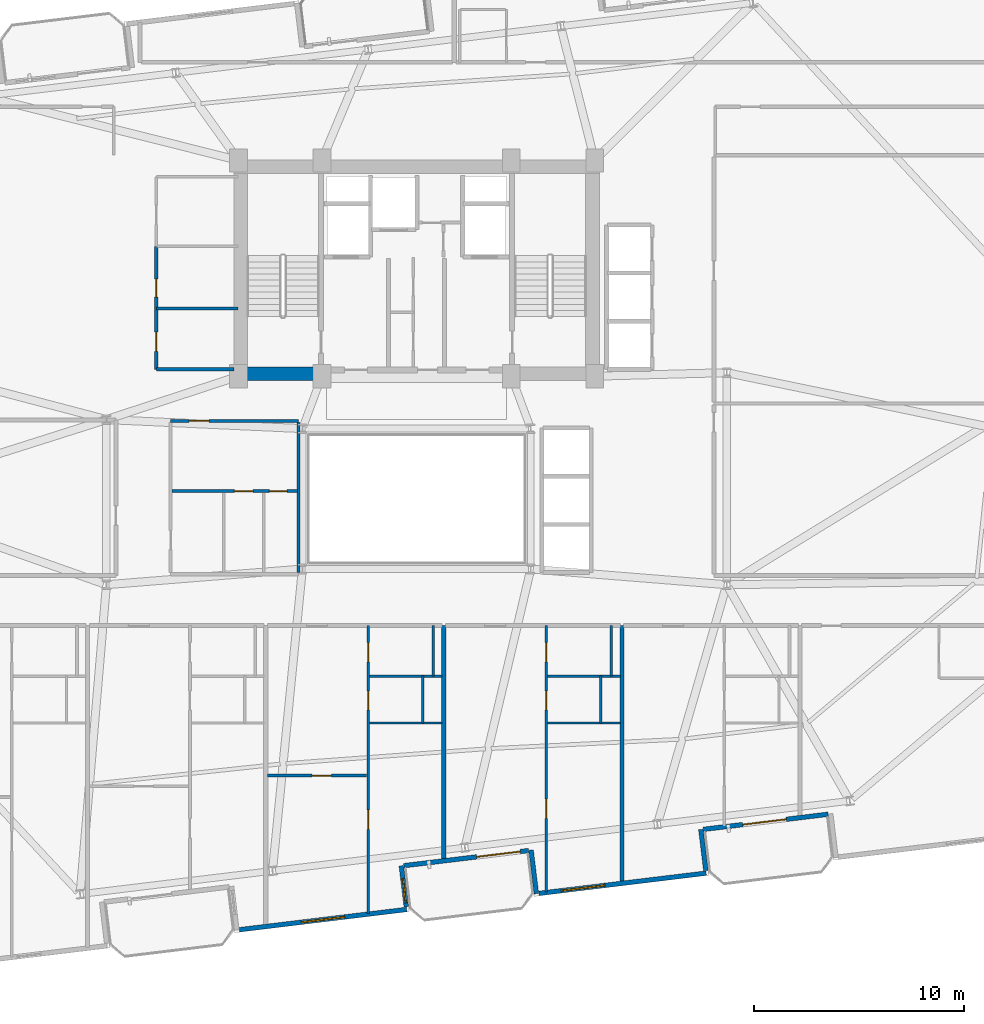
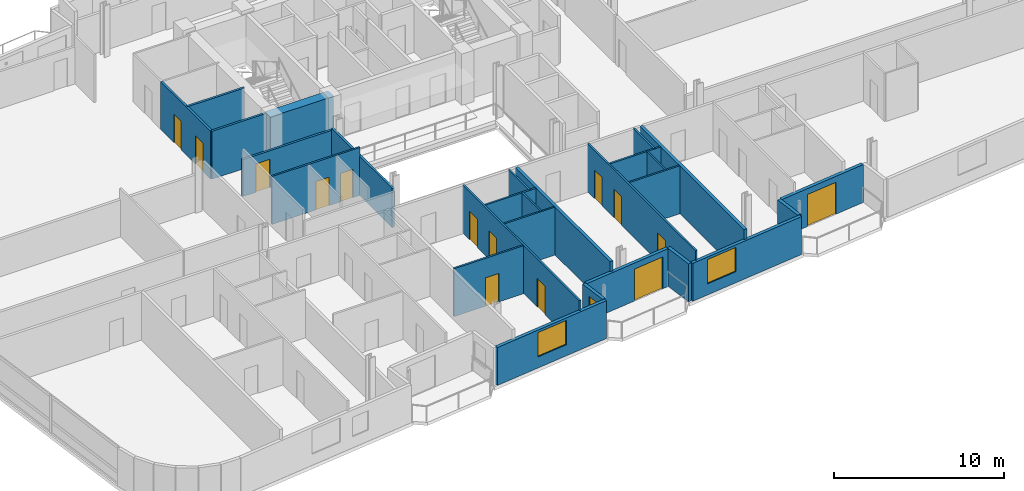
# One storey, part 15 of 23: 27 walls, 14 doors, 3 windows, 17 openings.
"""IFC4 building model written with IfcOpenShell, lengths in metres."""

from ifc_helpers import new_model, si_unit, direction, frame, frame_2d, origin, place, context, subcontext, project, spatial, rectangle, extrude, material, layer, layer_set, type_object, element, fill, save


model = new_model("IFC4")

# Units and contexts
model_context = context("Model", 3, precision=1e-05, world=origin(), true_north=direction((0.0, 1.0)))
body_context = subcontext(model_context, "Body", "Model", "MODEL_VIEW")
ifc_project = project(units=[si_unit("LENGTHUNIT", "METRE"), si_unit("AREAUNIT", "SQUARE_METRE"), si_unit("VOLUMEUNIT", "CUBIC_METRE"), si_unit("PLANEANGLEUNIT", "RADIAN"), si_unit("MASSUNIT", "GRAM", prefix="KILO")], contexts=[model_context])

# Site, building, storey
site_placement = place(None, origin())
site = spatial("IfcSite", under=ifc_project, at=site_placement, CompositionType="ELEMENT")
building_placement = place(site_placement, origin())
building = spatial("IfcBuilding", under=site, at=building_placement, Name="Varnelok Gate Tower", CompositionType="ELEMENT")
storey_placement = place(building_placement, frame((0.0, 0.0, 193.10009765625)))
storey = spatial("IfcBuildingStorey", under=building, at=storey_placement, Name="L49", CompositionType="ELEMENT", Elevation=193.10009765625)

# Wall, opening, door
ifc_material_1 = material(Name="Concrete C45/55", Category="concrete")
ifc_layer_1 = layer(ifc_material_1, 0.219970703125)
ifc_layer_set_1 = layer_set([ifc_layer_1], Name="Concrete C45/55")
wall_type_1 = type_object("IfcWallType", Name="EW-BALC-220", PredefinedType="SOLIDWALL", material=ifc_layer_set_1)
wall_1_placement = place(storey_placement, frame((44.5478515625, 6.114013671875, 0.0), z_axis=(0.0, 0.0, 1.0), x_axis=(-0.992735402148, -0.120318000826, 0.0)))
wall_1 = element("IfcWall", 1, at=wall_1_placement, inside=storey, type_object=wall_type_1, Name="L49 South Terrace Envelope Wall 2", PredefinedType="SOLIDWALL", context=body_context, shape_type="SweptSolid", body=[
    extrude(rectangle(XDim=6.000244140625, YDim=0.219970703125, at=frame_2d((3.0, 0.0))), origin(), (0.0, 0.0, 1.0), 2.72998046875),
])
opening_1_placement = place(wall_1_placement, frame((0.39990234375, 0.0, 0.0)))
opening_1 = element("IfcOpeningElement", 2, at=opening_1_placement, cuts=wall_1, Name="Opening BD-2", PredefinedType="OPENING", context=body_context, shape_type="SweptSolid", body=[
    extrude(rectangle(XDim=2.10009765625, YDim=2.300048828125, at=frame_2d((1.050048828125, 1.14990234375))), frame((0.0, 0.119873046875, 0.0), z_axis=(0.0, -1.0, 0.0), x_axis=(1.0, 0.0, 0.0)), (0.0, 0.0, 1.0), 0.239990234375),
])
ifc_material_2 = material(Name="Anodized Aluminum Alloy 6063-T6", Category="aluminium")
door_type_1 = type_object("IfcDoorType", Name="DR-EXT-SLID2100", OperationType="SLIDING_TO_LEFT", PredefinedType="DOOR", material=ifc_material_2)
door_1_placement = place(opening_1_placement, origin())
door_1 = element("IfcDoor", 3, at=door_1_placement, inside=storey, type_object=door_type_1, Name="L49 South Balcony Glazed Door 2", OperationType="SLIDING_TO_LEFT", OverallHeight=2.300048828125, OverallWidth=2.10009765625, PredefinedType="DOOR", context=body_context, shape_type="SweptSolid", body=[
    extrude(rectangle(XDim=2.10009765625, YDim=2.300048828125, at=frame_2d((1.050048828125, 1.14990234375))), frame((0.0, 0.02490234375, 0.0), z_axis=(0.0, -1.0, 0.0), x_axis=(1.0, 0.0, 0.0)), (0.0, 0.0, 1.0), 0.050048828125),
])
fill(opening_1, door_1)

wall_2_placement = place(storey_placement, frame((58.843017578125, 7.84716796875, 0.0), z_axis=(0.0, 0.0, 1.0), x_axis=(-0.992729951822, -0.120362962556, 0.0)))
wall_2 = element("IfcWall", 4, at=wall_2_placement, inside=storey, type_object=wall_type_1, Name="L49 South Terrace Envelope Wall 3", PredefinedType="SOLIDWALL", context=body_context, shape_type="SweptSolid", body=[
    extrude(rectangle(XDim=6.0, YDim=0.219970703125, at=frame_2d((3.0, 0.0))), origin(), (0.0, 0.0, 1.0), 2.72998046875),
])
opening_2_placement = place(wall_2_placement, frame((2.011962890625, 0.0, 0.0)))
opening_2 = element("IfcOpeningElement", 5, at=opening_2_placement, cuts=wall_2, Name="Opening BD-2", PredefinedType="OPENING", context=body_context, shape_type="SweptSolid", body=[
    extrude(rectangle(XDim=2.10009765625, YDim=2.300048828125, at=frame_2d((1.050048828125, 1.14990234375))), frame((0.0, 0.119873046875, 0.0), z_axis=(0.0, -1.0, 0.0), x_axis=(1.0, 0.0, 0.0)), (0.0, 0.0, 1.0), 0.239990234375),
])
door_2_placement = place(opening_2_placement, origin())
door_2 = element("IfcDoor", 6, at=door_2_placement, inside=storey, type_object=door_type_1, Name="L49 South Balcony Glazed Door 3", OperationType="SLIDING_TO_LEFT", OverallHeight=2.300048828125, OverallWidth=2.10009765625, PredefinedType="DOOR", context=body_context, shape_type="SweptSolid", body=[
    extrude(rectangle(XDim=2.10009765625, YDim=2.300048828125, at=frame_2d((1.050048828125, 1.14990234375))), frame((0.0, 0.02490234375, 0.0), z_axis=(0.0, -1.0, 0.0), x_axis=(1.0, 0.0, 0.0)), (0.0, 0.0, 1.0), 0.050048828125),
])
fill(opening_2, door_2)

# Wall, opening, window
wall_3_placement = place(storey_placement, frame((30.747314453125, 2.335693359375, 0.0), z_axis=(0.0, 0.0, 1.0), x_axis=(0.992731032022, 0.120354052946, 0.0)))
wall_3 = element("IfcWall", 7, at=wall_3_placement, inside=storey, type_object=wall_type_1, Name="L49 Perimeter Facade Closure Wall 10", PredefinedType="SOLIDWALL", context=body_context, shape_type="SweptSolid", body=[
    extrude(rectangle(XDim=8.034912109375, YDim=0.219970703125, at=frame_2d((4.017578125, 0.0))), origin(), (0.0, 0.0, 1.0), 2.72998046875),
])
opening_3_placement = place(wall_3_placement, frame((2.967529296875, 0.0, 0.800048828125)))
opening_3 = element("IfcOpeningElement", 8, at=opening_3_placement, cuts=wall_3, Name="Opening WN4", PredefinedType="OPENING", context=body_context, shape_type="SweptSolid", body=[
    extrude(rectangle(XDim=2.10009765625, YDim=1.75, at=frame_2d((1.050048828125, 0.875))), frame((0.0, 0.119873046875, 0.0), z_axis=(0.0, -1.0, 0.0), x_axis=(1.0, 0.0, 0.0)), (0.0, 0.0, 1.0), 0.239990234375),
])
ifc_material_3 = material(Name="Low-E Laminated Double Glazing IGU", Category="glass")
window_type_1 = type_object("IfcWindowType", Name="WN-SUI-2100", PartitioningType="SINGLE_PANEL", PredefinedType="WINDOW", material=ifc_material_3)
window_1_placement = place(opening_3_placement, origin())
window_1 = element("IfcWindow", 9, at=window_1_placement, inside=storey, type_object=window_type_1, Name="L49 Perimeter Vision Window 10", OverallHeight=1.75, OverallWidth=2.10009765625, PartitioningType="SINGLE_PANEL", PredefinedType="WINDOW", context=body_context, shape_type="SweptSolid", body=[
    extrude(rectangle(XDim=2.10009765625, YDim=1.75, at=frame_2d((1.050048828125, 0.875))), frame((0.0, 0.030029296875, 0.0), z_axis=(0.0, -1.0, 0.0), x_axis=(1.0, 0.0, 0.0)), (0.0, 0.0, 1.0), 0.06005859375),
])
fill(opening_3, window_1)

wall_4_placement = place(storey_placement, frame((38.708740234375, 3.427001953125, 0.0), z_axis=(0.0, 0.0, 1.0), x_axis=(-0.120397815541, 0.992725725472, 0.0)))
wall_4 = element("IfcWall", 10, at=wall_4_placement, inside=storey, type_object=wall_type_1, Name="L49 Perimeter Facade Closure Wall 11", PredefinedType="SOLIDWALL", context=body_context, shape_type="SweptSolid", body=[
    extrude(rectangle(XDim=1.97509765625, YDim=0.219970703125, at=frame_2d((0.987548828125, 0.0))), origin(), (0.0, 0.0, 1.0), 2.72998046875),
])
opening_4_placement = place(wall_4_placement, frame((0.199951171875, 0.0, 0.800048828125)))
opening_4 = element("IfcOpeningElement", 11, at=opening_4_placement, cuts=wall_4, Name="Opening WN8", PredefinedType="OPENING", context=body_context, shape_type="SweptSolid", body=[
    extrude(rectangle(XDim=1.14990234375, YDim=1.39990234375, at=frame_2d((0.574951171875, 0.699951171875))), frame((0.0, 0.119873046875, 0.0), z_axis=(0.0, -1.0, 0.0), x_axis=(1.0, 0.0, 0.0)), (0.0, 0.0, 1.0), 0.239990234375),
])
window_type_2 = type_object("IfcWindowType", Name="WN-BED-1150", PartitioningType="SINGLE_PANEL", PredefinedType="WINDOW", material=ifc_material_3)
window_2_placement = place(opening_4_placement, origin())
window_2 = element("IfcWindow", 12, at=window_2_placement, inside=storey, type_object=window_type_2, Name="L49 Bedroom Vision Window 33", OverallHeight=1.39990234375, OverallWidth=1.14990234375, PartitioningType="SINGLE_PANEL", PredefinedType="WINDOW", context=body_context, shape_type="SweptSolid", body=[
    extrude(rectangle(XDim=1.14990234375, YDim=1.39990234375, at=frame_2d((0.574951171875, 0.699951171875))), frame((0.0, 0.030029296875, 0.0), z_axis=(0.0, -1.0, 0.0), x_axis=(1.0, 0.0, 0.0)), (0.0, 0.0, 1.0), 0.06005859375),
])
fill(opening_4, window_2)

# Wall
wall_5_placement = place(storey_placement, frame((44.665771484375, 6.138427734375, 0.0), z_axis=(0.0, 0.0, 1.0), x_axis=(0.120327895535, -0.992734202874, 0.0)))
element("IfcWall", 13, at=wall_5_placement, inside=storey, type_object=wall_type_1, Name="L49 Perimeter Facade Closure Wall 12", PredefinedType="SOLIDWALL", context=body_context, shape_type="SweptSolid", body=[
    extrude(rectangle(XDim=2.099853515625, YDim=0.219970703125, at=frame_2d((1.0498046875, 0.0))), origin(), (0.0, 0.0, 1.0), 2.72998046875),
])

# Wall, opening, window
wall_6_placement = place(storey_placement, frame((45.04248046875, 4.06884765625, 0.0), z_axis=(0.0, 0.0, 1.0), x_axis=(0.992731032022, 0.120354052946, 0.0)))
wall_6 = element("IfcWall", 14, at=wall_6_placement, inside=storey, type_object=wall_type_1, Name="L49 Perimeter Facade Closure Wall 13", PredefinedType="SOLIDWALL", context=body_context, shape_type="SweptSolid", body=[
    extrude(rectangle(XDim=8.034912109375, YDim=0.219970703125, at=frame_2d((4.017578125, 0.0))), origin(), (0.0, 0.0, 1.0), 2.72998046875),
])
opening_5_placement = place(wall_6_placement, frame((1.068359375, 0.0, 0.800048828125)))
opening_5 = element("IfcOpeningElement", 15, at=opening_5_placement, cuts=wall_6, Name="Opening WN4", PredefinedType="OPENING", context=body_context, shape_type="SweptSolid", body=[
    extrude(rectangle(XDim=2.10009765625, YDim=1.75, at=frame_2d((1.050048828125, 0.875))), frame((0.0, 0.119873046875, 0.0), z_axis=(0.0, -1.0, 0.0), x_axis=(1.0, 0.0, 0.0)), (0.0, 0.0, 1.0), 0.239990234375),
])
window_3_placement = place(opening_5_placement, origin())
window_3 = element("IfcWindow", 16, at=window_3_placement, inside=storey, type_object=window_type_1, Name="L49 Perimeter Vision Window 13", OverallHeight=1.75, OverallWidth=2.10009765625, PartitioningType="SINGLE_PANEL", PredefinedType="WINDOW", context=body_context, shape_type="SweptSolid", body=[
    extrude(rectangle(XDim=2.10009765625, YDim=1.75, at=frame_2d((1.050048828125, 0.875))), frame((0.0, 0.030029296875, 0.0), z_axis=(0.0, -1.0, 0.0), x_axis=(1.0, 0.0, 0.0)), (0.0, 0.0, 1.0), 0.06005859375),
])
fill(opening_5, window_3)

# Walls
wall_7_placement = place(storey_placement, frame((53.004150390625, 5.159912109375, 0.0), z_axis=(0.0, 0.0, 1.0), x_axis=(-0.120397815541, 0.992725725472, 0.0)))
element("IfcWall", 17, at=wall_7_placement, inside=storey, type_object=wall_type_1, Name="L49 Perimeter Facade Closure Wall 14", PredefinedType="SOLIDWALL", context=body_context, shape_type="SweptSolid", body=[
    extrude(rectangle(XDim=1.97509765625, YDim=0.219970703125, at=frame_2d((0.987548828125, 0.0))), origin(), (0.0, 0.0, 1.0), 2.72998046875),
])
ifc_material_4 = material(Name="Gypsum Plasterboard Acoustic Partition", Category="gypsum")
ifc_layer_2 = layer(ifc_material_4, 0.114990234375)
ifc_layer_set_2 = layer_set([ifc_layer_2], Name="Gypsum Plasterboard Acoustic Partition")
wall_type_2 = type_object("IfcWallType", Name="PW-ENS-125", PredefinedType="PARTITIONING", material=ifc_layer_set_2)
wall_8_placement = place(storey_placement, frame((36.955078125, 12.199951171875, 0.0), z_axis=(0.0, 0.0, 1.0), x_axis=(1.0, 0.0, 0.0)))
element("IfcWall", 18, at=wall_8_placement, inside=storey, type_object=wall_type_2, Name="Interior Partition", PredefinedType="PARTITIONING", context=body_context, shape_type="SweptSolid", body=[
    extrude(rectangle(XDim=3.46484375, YDim=0.114990234375, at=frame_2d((1.732421875, 0.0))), origin(), (0.0, 0.0, 1.0), 3.449951171875),
])
wall_9_placement = place(storey_placement, frame((39.4951171875, 12.199951171875, 0.0), z_axis=(0.0, 0.0, 1.0), x_axis=(0.0, 1.0, 0.0)))
element("IfcWall", 19, at=wall_9_placement, inside=storey, type_object=wall_type_2, Name="Interior Partition", PredefinedType="PARTITIONING", context=body_context, shape_type="SweptSolid", body=[
    extrude(rectangle(XDim=2.239990234375, YDim=0.114990234375, at=frame_2d((1.1201171875, 0.0))), origin(), (0.0, 0.0, 1.0), 3.449951171875),
])
wall_10_placement = place(storey_placement, frame((45.455078125, 12.199951171875, 0.0), z_axis=(0.0, 0.0, 1.0), x_axis=(1.0, 0.0, 0.0)))
element("IfcWall", 20, at=wall_10_placement, inside=storey, type_object=wall_type_2, Name="Interior Partition", PredefinedType="PARTITIONING", context=body_context, shape_type="SweptSolid", body=[
    extrude(rectangle(XDim=3.46484375, YDim=0.114990234375, at=frame_2d((1.732421875, 0.0))), origin(), (0.0, 0.0, 1.0), 3.449951171875),
])
wall_11_placement = place(storey_placement, frame((47.9951171875, 12.199951171875, 0.0), z_axis=(0.0, 0.0, 1.0), x_axis=(0.0, 1.0, 0.0)))
element("IfcWall", 21, at=wall_11_placement, inside=storey, type_object=wall_type_2, Name="Interior Partition", PredefinedType="PARTITIONING", context=body_context, shape_type="SweptSolid", body=[
    extrude(rectangle(XDim=2.239990234375, YDim=0.114990234375, at=frame_2d((1.1201171875, 0.0))), origin(), (0.0, 0.0, 1.0), 3.449951171875),
])

# Wall, opening, door
ifc_layer_3 = layer(ifc_material_4, 0.125)
ifc_layer_set_3 = layer_set([ifc_layer_3], Name="Gypsum Plasterboard Acoustic Partition")
wall_type_3 = type_object("IfcWallType", Name="PW-PART-125", PredefinedType="PARTITIONING", material=ifc_layer_set_3)
wall_12_placement = place(storey_placement, frame((32.080078125, 9.69384765625, 0.0), z_axis=(0.0, 0.0, 1.0), x_axis=(1.0, 0.0, 0.0)))
wall_12 = element("IfcWall", 22, at=wall_12_placement, inside=storey, type_object=wall_type_3, Name="Interior Partition", PredefinedType="PARTITIONING", context=body_context, shape_type="SweptSolid", body=[
    extrude(rectangle(XDim=4.735107421875, YDim=0.125, at=frame_2d((2.36767578125, 0.0))), origin(), (0.0, 0.0, 1.0), 3.449951171875),
])
opening_6_placement = place(wall_12_placement, frame((2.130859375, 0.0, 0.0)))
opening_6 = element("IfcOpeningElement", 23, at=opening_6_placement, cuts=wall_12, Name="Opening D-I3", PredefinedType="OPENING", context=body_context, shape_type="SweptSolid", body=[
    extrude(rectangle(XDim=0.919921875, YDim=2.050048828125, at=frame_2d((0.4599609375, 1.02490234375))), frame((0.0, 0.072509765625, 0.0), z_axis=(0.0, -1.0, 0.0), x_axis=(1.0, 0.0, 0.0)), (0.0, 0.0, 1.0), 0.14501953125),
])
ifc_material_5 = material(Name="Engineered Hardwood Timber", Category="wood")
door_type_2 = type_object("IfcDoorType", Name="DR-INT-920", OperationType="NOTDEFINED", PredefinedType="DOOR", material=ifc_material_5)
door_3_placement = place(opening_6_placement, origin())
door_3 = element("IfcDoor", 24, at=door_3_placement, inside=storey, type_object=door_type_2, Name="L49 Apartment 4 Study Door", OperationType="SINGLE_SWING_LEFT", OverallHeight=2.050048828125, OverallWidth=0.919921875, PredefinedType="DOOR", context=body_context, shape_type="SweptSolid", body=[
    extrude(rectangle(XDim=0.919921875, YDim=2.050048828125, at=frame_2d((0.4599609375, 1.02490234375))), frame((0.0, 0.02490234375, 0.0), z_axis=(0.0, -1.0, 0.0), x_axis=(1.0, 0.0, 0.0)), (0.0, 0.0, 1.0), 0.050048828125),
])
fill(opening_6, door_3)

# Wall, openings, doors
wall_13_placement = place(storey_placement, frame((36.88525390625, 3.10009765625, 0.0), z_axis=(0.0, 0.0, 1.0), x_axis=(0.0, 1.0, 0.0)))
wall_13 = element("IfcWall", 25, at=wall_13_placement, inside=storey, type_object=wall_type_3, Name="Interior Partition", PredefinedType="PARTITIONING", context=body_context, shape_type="SweptSolid", body=[
    extrude(rectangle(XDim=13.75, YDim=0.125, at=frame_2d((6.875, 0.0))), origin(), (0.0, 0.0, 1.0), 3.449951171875),
])
opening_7_placement = place(wall_13_placement, frame((4.030029296875, 0.0, 0.0)))
opening_7 = element("IfcOpeningElement", 26, at=opening_7_placement, cuts=wall_13, Name="Opening D-I3", PredefinedType="OPENING", context=body_context, shape_type="SweptSolid", body=[
    extrude(rectangle(XDim=0.919921875, YDim=2.050048828125, at=frame_2d((0.4599609375, 1.02490234375))), frame((0.0, 0.072509765625, 0.0), z_axis=(0.0, -1.0, 0.0), x_axis=(1.0, 0.0, 0.0)), (0.0, 0.0, 1.0), 0.14501953125),
])
opening_8_placement = place(wall_13_placement, frame((9.727294921875, 0.0, 0.0)))
opening_8 = element("IfcOpeningElement", 27, at=opening_8_placement, cuts=wall_13, Name="Opening D-WC", PredefinedType="OPENING", context=body_context, shape_type="SweptSolid", body=[
    extrude(rectangle(XDim=0.89990234375, YDim=2.050048828125, at=frame_2d((0.449951171875, 1.02490234375))), frame((0.0, 0.072509765625, 0.0), z_axis=(0.0, -1.0, 0.0), x_axis=(1.0, 0.0, 0.0)), (0.0, 0.0, 1.0), 0.14501953125),
])
opening_9_placement = place(wall_13_placement, frame((12.02001953125, 0.0, 0.0)))
opening_9 = element("IfcOpeningElement", 28, at=opening_9_placement, cuts=wall_13, Name="Opening D-I3", PredefinedType="OPENING", context=body_context, shape_type="SweptSolid", body=[
    extrude(rectangle(XDim=0.919921875, YDim=2.050048828125, at=frame_2d((0.4599609375, 1.02490234375))), frame((0.0, 0.072509765625, 0.0), z_axis=(0.0, -1.0, 0.0), x_axis=(1.0, 0.0, 0.0)), (0.0, 0.0, 1.0), 0.14501953125),
])
door_type_3 = type_object("IfcDoorType", Name="DR-BATH-900", OperationType="NOTDEFINED", PredefinedType="DOOR", material=ifc_material_5)
door_4_placement = place(opening_8_placement, origin())
door_4 = element("IfcDoor", 29, at=door_4_placement, inside=storey, type_object=door_type_3, Name="L49 Apartment 4 Bathroom Door", OperationType="SINGLE_SWING_LEFT", OverallHeight=2.050048828125, OverallWidth=0.89990234375, PredefinedType="DOOR", context=body_context, shape_type="SweptSolid", body=[
    extrude(rectangle(XDim=0.89990234375, YDim=2.050048828125, at=frame_2d((0.449951171875, 1.02490234375))), frame((0.0, 0.02490234375, 0.0), z_axis=(0.0, -1.0, 0.0), x_axis=(1.0, 0.0, 0.0)), (0.0, 0.0, 1.0), 0.050048828125),
])
fill(opening_8, door_4)
door_5_placement = place(opening_7_placement, origin())
door_5 = element("IfcDoor", 30, at=door_5_placement, inside=storey, type_object=door_type_2, Name="L49 Apartment 4 Bedroom Door", OperationType="SINGLE_SWING_RIGHT", OverallHeight=2.050048828125, OverallWidth=0.919921875, PredefinedType="DOOR", context=body_context, shape_type="SweptSolid", body=[
    extrude(rectangle(XDim=0.919921875, YDim=2.050048828125, at=frame_2d((0.4599609375, 1.02490234375))), frame((0.0, 0.02490234375, 0.0), z_axis=(0.0, -1.0, 0.0), x_axis=(1.0, 0.0, 0.0)), (0.0, 0.0, 1.0), 0.050048828125),
])
fill(opening_7, door_5)
door_6_placement = place(opening_9_placement, origin())
door_6 = element("IfcDoor", 31, at=door_6_placement, inside=storey, type_object=door_type_2, Name="L49 Apartment 4 Kitchen Door", OperationType="SINGLE_SWING_RIGHT", OverallHeight=2.050048828125, OverallWidth=0.919921875, PredefinedType="DOOR", context=body_context, shape_type="SweptSolid", body=[
    extrude(rectangle(XDim=0.919921875, YDim=2.050048828125, at=frame_2d((0.4599609375, 1.02490234375))), frame((0.0, 0.02490234375, 0.0), z_axis=(0.0, -1.0, 0.0), x_axis=(1.0, 0.0, 0.0)), (0.0, 0.0, 1.0), 0.050048828125),
])
fill(opening_9, door_6)

# Walls
wall_14_placement = place(storey_placement, frame((36.955078125, 14.43994140625, 0.0), z_axis=(0.0, 0.0, 1.0), x_axis=(1.0, 0.0, 0.0)))
element("IfcWall", 32, at=wall_14_placement, inside=storey, type_object=wall_type_3, Name="Interior Partition", PredefinedType="PARTITIONING", context=body_context, shape_type="SweptSolid", body=[
    extrude(rectangle(XDim=3.46484375, YDim=0.125, at=frame_2d((1.732421875, 0.0))), origin(), (0.0, 0.0, 1.0), 3.449951171875),
])
wall_15_placement = place(storey_placement, frame((39.9951171875, 14.43994140625, 0.0), z_axis=(0.0, 0.0, 1.0), x_axis=(0.0, 1.0, 0.0)))
element("IfcWall", 33, at=wall_15_placement, inside=storey, type_object=wall_type_3, Name="Interior Partition", PredefinedType="PARTITIONING", context=body_context, shape_type="SweptSolid", body=[
    extrude(rectangle(XDim=2.41015625, YDim=0.125, at=frame_2d((1.205078125, 0.0))), origin(), (0.0, 0.0, 1.0), 3.449951171875),
])

# Wall, openings, doors
wall_16_placement = place(storey_placement, frame((45.38525390625, 4.130615234375, 0.0), z_axis=(0.0, 0.0, 1.0), x_axis=(0.0, 1.0, 0.0)))
wall_16 = element("IfcWall", 34, at=wall_16_placement, inside=storey, type_object=wall_type_3, Name="Interior Partition", PredefinedType="PARTITIONING", context=body_context, shape_type="SweptSolid", body=[
    extrude(rectangle(XDim=12.719482421875, YDim=0.125, at=frame_2d((6.35986328125, 0.0))), origin(), (0.0, 0.0, 1.0), 3.449951171875),
])
opening_10_placement = place(wall_16_placement, frame((3.5146484375, 0.0, 0.0)))
opening_10 = element("IfcOpeningElement", 35, at=opening_10_placement, cuts=wall_16, Name="Opening D-I3", PredefinedType="OPENING", context=body_context, shape_type="SweptSolid", body=[
    extrude(rectangle(XDim=0.919921875, YDim=2.050048828125, at=frame_2d((0.4599609375, 1.02490234375))), frame((0.0, 0.072509765625, 0.0), z_axis=(0.0, -1.0, 0.0), x_axis=(1.0, 0.0, 0.0)), (0.0, 0.0, 1.0), 0.14501953125),
])
opening_11_placement = place(wall_16_placement, frame((8.69677734375, 0.0, 0.0)))
opening_11 = element("IfcOpeningElement", 36, at=opening_11_placement, cuts=wall_16, Name="Opening D-WC", PredefinedType="OPENING", context=body_context, shape_type="SweptSolid", body=[
    extrude(rectangle(XDim=0.89990234375, YDim=2.050048828125, at=frame_2d((0.449951171875, 1.02490234375))), frame((0.0, 0.072509765625, 0.0), z_axis=(0.0, -1.0, 0.0), x_axis=(1.0, 0.0, 0.0)), (0.0, 0.0, 1.0), 0.14501953125),
])
opening_12_placement = place(wall_16_placement, frame((10.989501953125, 0.0, 0.0)))
opening_12 = element("IfcOpeningElement", 37, at=opening_12_placement, cuts=wall_16, Name="Opening D-I3", PredefinedType="OPENING", context=body_context, shape_type="SweptSolid", body=[
    extrude(rectangle(XDim=0.919921875, YDim=2.050048828125, at=frame_2d((0.4599609375, 1.02490234375))), frame((0.0, 0.072509765625, 0.0), z_axis=(0.0, -1.0, 0.0), x_axis=(1.0, 0.0, 0.0)), (0.0, 0.0, 1.0), 0.14501953125),
])
door_7_placement = place(opening_11_placement, origin())
door_7 = element("IfcDoor", 38, at=door_7_placement, inside=storey, type_object=door_type_3, Name="L49 Apartment 5 Bathroom Door", OperationType="SINGLE_SWING_LEFT", OverallHeight=2.050048828125, OverallWidth=0.89990234375, PredefinedType="DOOR", context=body_context, shape_type="SweptSolid", body=[
    extrude(rectangle(XDim=0.89990234375, YDim=2.050048828125, at=frame_2d((0.449951171875, 1.02490234375))), frame((0.0, 0.02490234375, 0.0), z_axis=(0.0, -1.0, 0.0), x_axis=(1.0, 0.0, 0.0)), (0.0, 0.0, 1.0), 0.050048828125),
])
fill(opening_11, door_7)
door_8_placement = place(opening_10_placement, origin())
door_8 = element("IfcDoor", 39, at=door_8_placement, inside=storey, type_object=door_type_2, Name="L49 Apartment 5 Bedroom Door", OperationType="SINGLE_SWING_RIGHT", OverallHeight=2.050048828125, OverallWidth=0.919921875, PredefinedType="DOOR", context=body_context, shape_type="SweptSolid", body=[
    extrude(rectangle(XDim=0.919921875, YDim=2.050048828125, at=frame_2d((0.4599609375, 1.02490234375))), frame((0.0, 0.02490234375, 0.0), z_axis=(0.0, -1.0, 0.0), x_axis=(1.0, 0.0, 0.0)), (0.0, 0.0, 1.0), 0.050048828125),
])
fill(opening_10, door_8)
door_9_placement = place(opening_12_placement, origin())
door_9 = element("IfcDoor", 40, at=door_9_placement, inside=storey, type_object=door_type_2, Name="L49 Apartment 5 Kitchen Door", OperationType="SINGLE_SWING_RIGHT", OverallHeight=2.050048828125, OverallWidth=0.919921875, PredefinedType="DOOR", context=body_context, shape_type="SweptSolid", body=[
    extrude(rectangle(XDim=0.919921875, YDim=2.050048828125, at=frame_2d((0.4599609375, 1.02490234375))), frame((0.0, 0.02490234375, 0.0), z_axis=(0.0, -1.0, 0.0), x_axis=(1.0, 0.0, 0.0)), (0.0, 0.0, 1.0), 0.050048828125),
])
fill(opening_12, door_9)

# Walls
wall_17_placement = place(storey_placement, frame((45.455078125, 14.43994140625, 0.0), z_axis=(0.0, 0.0, 1.0), x_axis=(1.0, 0.0, 0.0)))
element("IfcWall", 41, at=wall_17_placement, inside=storey, type_object=wall_type_3, Name="Interior Partition", PredefinedType="PARTITIONING", context=body_context, shape_type="SweptSolid", body=[
    extrude(rectangle(XDim=3.46484375, YDim=0.125, at=frame_2d((1.732421875, 0.0))), origin(), (0.0, 0.0, 1.0), 3.449951171875),
])
wall_18_placement = place(storey_placement, frame((48.4951171875, 14.43994140625, 0.0), z_axis=(0.0, 0.0, 1.0), x_axis=(0.0, 1.0, 0.0)))
element("IfcWall", 42, at=wall_18_placement, inside=storey, type_object=wall_type_3, Name="Interior Partition", PredefinedType="PARTITIONING", context=body_context, shape_type="SweptSolid", body=[
    extrude(rectangle(XDim=2.41015625, YDim=0.125, at=frame_2d((1.205078125, 0.0))), origin(), (0.0, 0.0, 1.0), 3.449951171875),
])

# Wall, openings, doors
wall_19_placement = place(storey_placement, frame((27.52001953125, 23.27001953125, 0.0), z_axis=(0.0, 0.0, 1.0), x_axis=(1.0, 0.0, 0.0)))
wall_19 = element("IfcWall", 43, at=wall_19_placement, inside=storey, type_object=wall_type_3, Name="Interior Partition", PredefinedType="PARTITIONING", context=body_context, shape_type="SweptSolid", body=[
    extrude(rectangle(XDim=6.0, YDim=0.125, at=frame_2d((3.0, 0.0))), origin(), (0.0, 0.0, 1.0), 3.449951171875),
])
opening_13_placement = place(wall_19_placement, frame((2.981689453125, 0.0, 0.0)))
opening_13 = element("IfcOpeningElement", 44, at=opening_13_placement, cuts=wall_19, Name="Opening D-I4", PredefinedType="OPENING", context=body_context, shape_type="SweptSolid", body=[
    extrude(rectangle(XDim=0.89990234375, YDim=2.050048828125, at=frame_2d((0.449951171875, 1.02490234375))), frame((0.0, 0.072509765625, 0.0), z_axis=(0.0, -1.0, 0.0), x_axis=(1.0, 0.0, 0.0)), (0.0, 0.0, 1.0), 0.14501953125),
])
opening_14_placement = place(wall_19_placement, frame((4.64990234375, 0.0, 0.0)))
opening_14 = element("IfcOpeningElement", 45, at=opening_14_placement, cuts=wall_19, Name="Opening D-RS", PredefinedType="OPENING", context=body_context, shape_type="SweptSolid", body=[
    extrude(rectangle(XDim=0.85009765625, YDim=2.050048828125, at=frame_2d((0.425048828125, 1.02490234375))), frame((0.0, 0.072509765625, 0.0), z_axis=(0.0, -1.0, 0.0), x_axis=(1.0, 0.0, 0.0)), (0.0, 0.0, 1.0), 0.14501953125),
])
door_type_4 = type_object("IfcDoorType", Name="DR-INT-900", OperationType="NOTDEFINED", PredefinedType="DOOR", material=ifc_material_5)
door_10_placement = place(opening_13_placement, origin())
door_10 = element("IfcDoor", 46, at=door_10_placement, inside=storey, type_object=door_type_4, Name="L49 Trolley Room Door", OperationType="SINGLE_SWING_LEFT", OverallHeight=2.050048828125, OverallWidth=0.89990234375, PredefinedType="DOOR", context=body_context, shape_type="SweptSolid", body=[
    extrude(rectangle(XDim=0.89990234375, YDim=2.050048828125, at=frame_2d((0.449951171875, 1.02490234375))), frame((0.0, 0.02490234375, 0.0), z_axis=(0.0, -1.0, 0.0), x_axis=(1.0, 0.0, 0.0)), (0.0, 0.0, 1.0), 0.050048828125),
])
fill(opening_13, door_10)
ifc_material_6 = material(Name="Galvanized Steel Grade S350GD", Category="steel")
door_type_5 = type_object("IfcDoorType", Name="DR-RISER-850", OperationType="NOTDEFINED", PredefinedType="DOOR", material=ifc_material_6)
door_11_placement = place(opening_14_placement, origin())
door_11 = element("IfcDoor", 47, at=door_11_placement, inside=storey, type_object=door_type_5, Name="L49 Janitor Sink Door", OperationType="SINGLE_SWING_RIGHT", OverallHeight=2.050048828125, OverallWidth=0.85009765625, PredefinedType="DOOR", context=body_context, shape_type="SweptSolid", body=[
    extrude(rectangle(XDim=0.85009765625, YDim=2.050048828125, at=frame_2d((0.425048828125, 1.02490234375))), frame((0.0, 0.02490234375, 0.0), z_axis=(0.0, -1.0, 0.0), x_axis=(1.0, 0.0, 0.0)), (0.0, 0.0, 1.0), 0.050048828125),
])
fill(opening_14, door_11)

# Wall, opening, door
ifc_layer_4 = layer(ifc_material_4, 0.14990234375)
ifc_layer_set_4 = layer_set([ifc_layer_4], Name="Gypsum Plasterboard Acoustic Partition")
wall_type_4 = type_object("IfcWallType", Name="PW-PART-150", PredefinedType="PARTITIONING", material=ifc_layer_set_4)
wall_20_placement = place(storey_placement, frame((27.4599609375, 26.6201171875, 0.0), z_axis=(0.0, 0.0, 1.0), x_axis=(1.0, 0.0, 0.0)))
wall_20 = element("IfcWall", 48, at=wall_20_placement, inside=storey, type_object=wall_type_4, Name="Interior Partition", PredefinedType="PARTITIONING", context=body_context, shape_type="SweptSolid", body=[
    extrude(rectangle(XDim=6.10009765625, YDim=0.14990234375, at=frame_2d((3.050048828125, 0.0))), origin(), (0.0, 0.0, 1.0), 2.661865234375),
])
opening_15_placement = place(wall_20_placement, frame((0.8896484375, 0.0, 0.0)))
opening_15 = element("IfcOpeningElement", 49, at=opening_15_placement, cuts=wall_20, Name="Opening D-I2", PredefinedType="OPENING", context=body_context, shape_type="SweptSolid", body=[
    extrude(rectangle(XDim=0.949951171875, YDim=2.050048828125, at=frame_2d((0.47509765625, 1.02490234375))), frame((0.0, 0.0849609375, 0.0), z_axis=(0.0, -1.0, 0.0), x_axis=(1.0, 0.0, 0.0)), (0.0, 0.0, 1.0), 0.169921875),
])
door_type_6 = type_object("IfcDoorType", Name="DR-INT-950", OperationType="NOTDEFINED", PredefinedType="DOOR", material=ifc_material_5)
door_12_placement = place(opening_15_placement, origin())
door_12 = element("IfcDoor", 50, at=door_12_placement, inside=storey, type_object=door_type_6, Name="L49 Children Playroom Door", OperationType="SINGLE_SWING_LEFT", OverallHeight=2.050048828125, OverallWidth=0.949951171875, PredefinedType="DOOR", context=body_context, shape_type="SweptSolid", body=[
    extrude(rectangle(XDim=0.949951171875, YDim=2.050048828125, at=frame_2d((0.47509765625, 1.02490234375))), frame((0.0, 0.02490234375, 0.0), z_axis=(0.0, -1.0, 0.0), x_axis=(1.0, 0.0, 0.0)), (0.0, 0.0, 1.0), 0.050048828125),
])
fill(opening_15, door_12)

# Walls
wall_21_placement = place(storey_placement, frame((33.56005859375, 19.3798828125, 0.0), z_axis=(0.0, 0.0, 1.0), x_axis=(0.0, 1.0, 0.0)))
element("IfcWall", 51, at=wall_21_placement, inside=storey, type_object=wall_type_4, Name="Interior Partition", PredefinedType="PARTITIONING", context=body_context, shape_type="SweptSolid", body=[
    extrude(rectangle(XDim=7.16015625, YDim=0.14990234375, at=frame_2d((3.580078125, 0.0))), origin(), (0.0, 0.0, 1.0), 2.823974609375),
])
wall_22_placement = place(storey_placement, frame((26.780029296875, 29.080078125, 0.0), z_axis=(0.0, 0.0, 1.0), x_axis=(1.0, 0.0, 0.0)))
element("IfcWall", 52, at=wall_22_placement, inside=storey, type_object=wall_type_4, Name="Interior Partition", PredefinedType="PARTITIONING", context=body_context, shape_type="SweptSolid", body=[
    extrude(rectangle(XDim=3.699951171875, YDim=0.14990234375, at=frame_2d((1.85009765625, 0.0))), origin(), (0.0, 0.0, 1.0), 3.449951171875),
])
wall_23_placement = place(storey_placement, frame((26.800048828125, 31.989990234375, 0.0), z_axis=(0.0, 0.0, 1.0), x_axis=(1.0, 0.0, 0.0)))
element("IfcWall", 53, at=wall_23_placement, inside=storey, type_object=wall_type_4, Name="Interior Partition", PredefinedType="PARTITIONING", context=body_context, shape_type="SweptSolid", body=[
    extrude(rectangle(XDim=3.8798828125, YDim=0.14990234375, at=frame_2d((1.93994140625, 0.0))), origin(), (0.0, 0.0, 1.0), 3.449951171875),
])

# Wall, openings, doors
wall_24_placement = place(storey_placement, frame((26.780029296875, 29.080078125, 0.0), z_axis=(0.0, 0.0, 1.0), x_axis=(0.0, 1.0, 0.0)))
wall_24 = element("IfcWall", 54, at=wall_24_placement, inside=storey, type_object=wall_type_4, Name="Interior Partition", PredefinedType="PARTITIONING", context=body_context, shape_type="SweptSolid", body=[
    extrude(rectangle(XDim=5.869873046875, YDim=0.14990234375, at=frame_2d((2.93505859375, 0.0))), origin(), (0.0, 0.0, 1.0), 3.449951171875),
])
opening_16_placement = place(wall_24_placement, frame((0.85009765625, 0.0, 0.0)))
opening_16 = element("IfcOpeningElement", 55, at=opening_16_placement, cuts=wall_24, Name="Opening D-I3", PredefinedType="OPENING", context=body_context, shape_type="SweptSolid", body=[
    extrude(rectangle(XDim=0.919921875, YDim=2.050048828125, at=frame_2d((0.4599609375, 1.02490234375))), frame((0.0, 0.0849609375, 0.0), z_axis=(0.0, -1.0, 0.0), x_axis=(1.0, 0.0, 0.0)), (0.0, 0.0, 1.0), 0.169921875),
])
opening_17_placement = place(wall_24_placement, frame((3.449951171875, 0.0, 0.0)))
opening_17 = element("IfcOpeningElement", 56, at=opening_17_placement, cuts=wall_24, Name="Opening D-RS", PredefinedType="OPENING", context=body_context, shape_type="SweptSolid", body=[
    extrude(rectangle(XDim=0.85009765625, YDim=2.050048828125, at=frame_2d((0.425048828125, 1.02490234375))), frame((0.0, 0.0849609375, 0.0), z_axis=(0.0, -1.0, 0.0), x_axis=(1.0, 0.0, 0.0)), (0.0, 0.0, 1.0), 0.169921875),
])
door_13_placement = place(opening_16_placement, origin())
door_13 = element("IfcDoor", 57, at=door_13_placement, inside=storey, type_object=door_type_2, Name="L49 Core Linen Door", OperationType="SINGLE_SWING_LEFT", OverallHeight=2.050048828125, OverallWidth=0.919921875, PredefinedType="DOOR", context=body_context, shape_type="SweptSolid", body=[
    extrude(rectangle(XDim=0.919921875, YDim=2.050048828125, at=frame_2d((0.4599609375, 1.02490234375))), frame((0.0, 0.02490234375, 0.0), z_axis=(0.0, -1.0, 0.0), x_axis=(1.0, 0.0, 0.0)), (0.0, 0.0, 1.0), 0.050048828125),
])
fill(opening_16, door_13)
door_14_placement = place(opening_17_placement, origin())
door_14 = element("IfcDoor", 58, at=door_14_placement, inside=storey, type_object=door_type_5, Name="L49 Core Janitor Door", OperationType="SINGLE_SWING_RIGHT", OverallHeight=2.050048828125, OverallWidth=0.85009765625, PredefinedType="DOOR", context=body_context, shape_type="SweptSolid", body=[
    extrude(rectangle(XDim=0.85009765625, YDim=2.050048828125, at=frame_2d((0.425048828125, 1.02490234375))), frame((0.0, 0.02490234375, 0.0), z_axis=(0.0, -1.0, 0.0), x_axis=(1.0, 0.0, 0.0)), (0.0, 0.0, 1.0), 0.050048828125),
])
fill(opening_17, door_14)

# Walls
ifc_layer_5 = layer(ifc_material_4, 0.205078125)
ifc_layer_set_5 = layer_set([ifc_layer_5], Name="Gypsum Plasterboard Acoustic Partition")
wall_type_5 = type_object("IfcWallType", Name="PW-PARTY-200", PredefinedType="PARTITIONING", material=ifc_layer_set_5)
wall_25_placement = place(storey_placement, frame((40.5, 5.65380859375, 0.0), z_axis=(0.0, 0.0, 1.0), x_axis=(0.0, 1.0, 0.0)))
element("IfcWall", 59, at=wall_25_placement, inside=storey, type_object=wall_type_5, Name="L49 South Party Wall 4", PredefinedType="PARTITIONING", context=body_context, shape_type="SweptSolid", body=[
    extrude(rectangle(XDim=11.1962890625, YDim=0.205078125, at=frame_2d((5.59814453125, 0.0))), origin(), (0.0, 0.0, 1.0), 3.449951171875),
])
wall_26_placement = place(storey_placement, frame((49.0, 4.568603515625, 0.0), z_axis=(0.0, 0.0, 1.0), x_axis=(0.0, 1.0, 0.0)))
element("IfcWall", 60, at=wall_26_placement, inside=storey, type_object=wall_type_5, Name="L49 South Party Wall 5", PredefinedType="PARTITIONING", context=body_context, shape_type="SweptSolid", body=[
    extrude(rectangle(XDim=12.281494140625, YDim=0.205078125, at=frame_2d((6.140625, 0.0))), origin(), (0.0, 0.0, 1.0), 3.449951171875),
])
ifc_material_7 = material(Name="Concrete C60/75", Category="concrete")
ifc_layer_6 = layer(ifc_material_7, 0.64990234375)
ifc_layer_set_6 = layer_set([ifc_layer_6], Name="Concrete C60/75")
wall_type_6 = type_object("IfcWallType", Name="SW-CORE-650", PredefinedType="SHEAR", material=ifc_layer_set_6)
wall_27_placement = place(storey_placement, frame((30.47998046875, 28.875, 0.0), z_axis=(0.0, 0.0, 1.0), x_axis=(1.0, 0.0, 0.0)))
element("IfcWall", 61, at=wall_27_placement, inside=storey, type_object=wall_type_6, Name="L49 Rear Core South-West Shear Wall", PredefinedType="SHEAR", context=body_context, shape_type="SweptSolid", body=[
    extrude(rectangle(XDim=4.320068359375, YDim=0.64990234375, at=frame_2d((2.16015625, 0.0))), origin(), (0.0, 0.0, 1.0), 3.449951171875),
])

save(model, "model.ifc")
